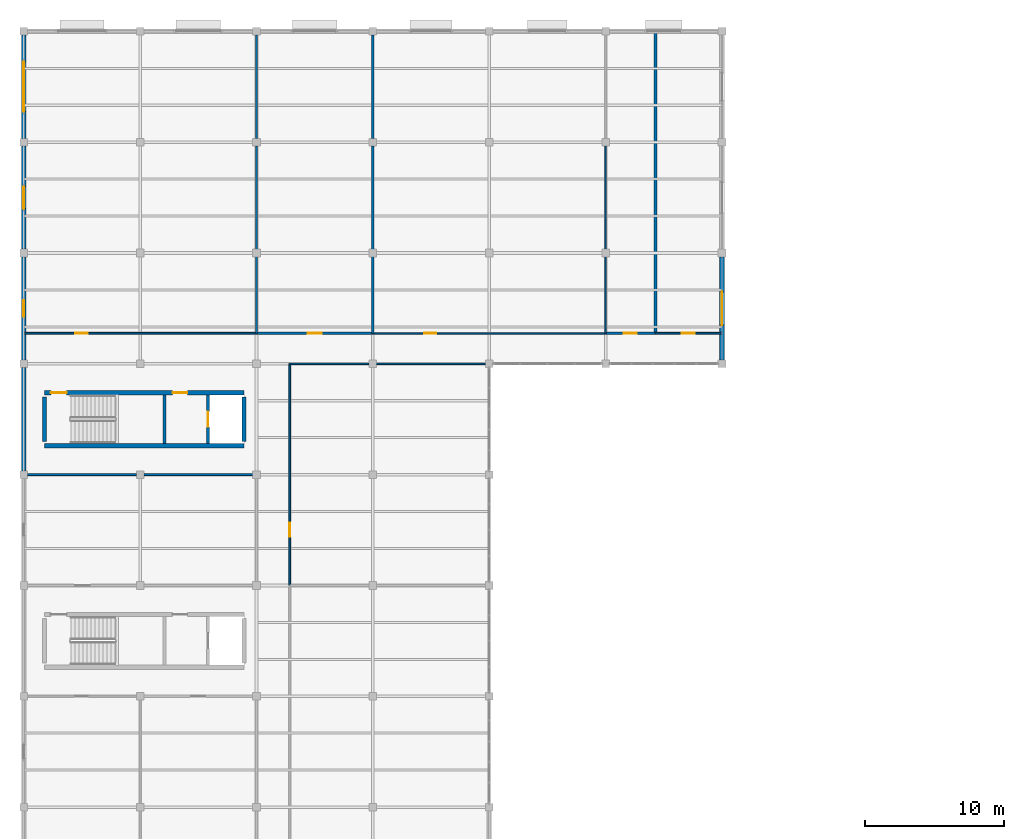
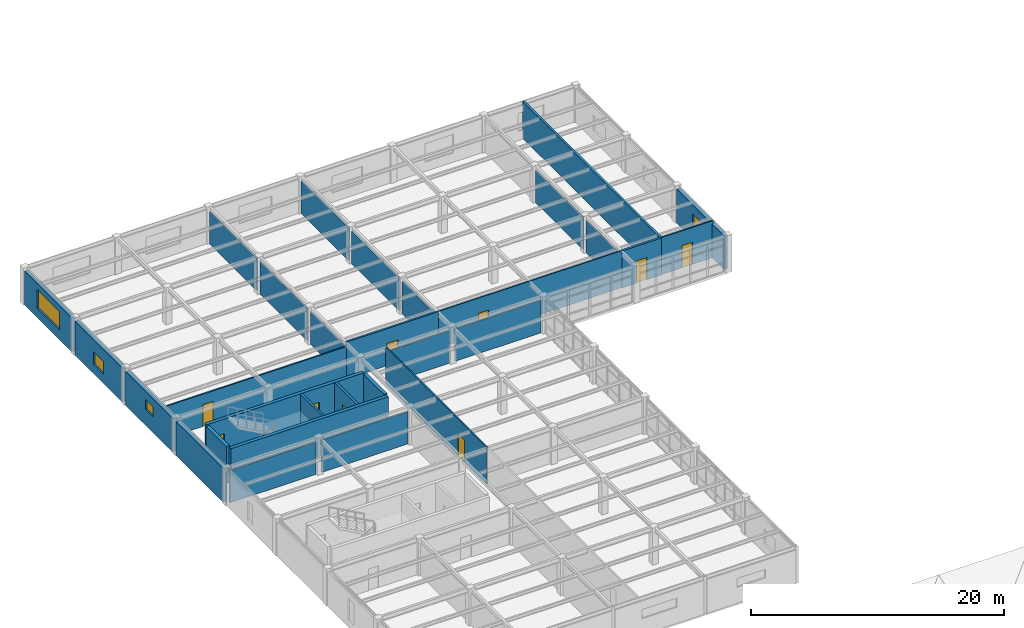
# One storey, part 43 of 53: 30 walls, 9 doors, 4 windows, 13 openings.
"""IFC4 building model written with IfcOpenShell, lengths in metres."""

from ifc_helpers import new_model, si_unit, direction, frame, frame_2d, origin, place, context, subcontext, project, spatial, rectangle, extrude, material, layer, layer_set, type_object, element, fill, save


model = new_model("IFC4")

# Units and contexts
model_context = context("Model", 3, precision=1e-05, world=origin(), true_north=direction((0.0, 1.0)))
body_context = subcontext(model_context, "Body", "Model", "MODEL_VIEW")
ifc_project = project(units=[si_unit("LENGTHUNIT", "METRE"), si_unit("AREAUNIT", "SQUARE_METRE"), si_unit("VOLUMEUNIT", "CUBIC_METRE"), si_unit("PLANEANGLEUNIT", "RADIAN"), si_unit("MASSUNIT", "GRAM", prefix="KILO")], contexts=[model_context])

# Site, building, storey
site_placement = place(None, origin())
site = spatial("IfcSite", under=ifc_project, at=site_placement, CompositionType="ELEMENT")
building_placement = place(site_placement, origin())
building = spatial("IfcBuilding", under=site, at=building_placement, Name="Kranzveld Transit Interchange", CompositionType="ELEMENT")
storey_placement = place(building_placement, frame((0.0, 0.0, 13.360107421875)))
storey = spatial("IfcBuildingStorey", under=building, at=storey_placement, Name="L03", CompositionType="ELEMENT", Elevation=13.360107421875)

# Wall, opening, door
ifc_material_1 = material(Name="Clay masonry unit wall, 20 MPa", Category="masonry")
ifc_layer_1 = layer(ifc_material_1, 0.1650390625)
ifc_layer_set_1 = layer_set([ifc_layer_1], Name="Clay masonry unit wall, 20 MPa")
wall_type_1 = type_object("IfcWallType", Name="Acoustic Double-Stud Partition 165", PredefinedType="PARTITIONING", material=ifc_layer_set_1)
wall_1_placement = place(storey_placement, frame((16.800048828125, 90.199951171875, 0.0), z_axis=(0.0, 0.0, 1.0), x_axis=(1.0, 0.0, 0.0)))
wall_1 = element("IfcWall", 1, at=wall_1_placement, inside=storey, type_object=wall_type_1, Name="L03 Partition IW-L03-L03V5N-FRT-316-0", PredefinedType="PARTITIONING", context=body_context, shape_type="SweptSolid", body=[
    extrude(rectangle(XDim=8.39990234375, YDim=0.1650390625, at=frame_2d((4.199951171875, 0.0))), origin(), (0.0, 0.0, 1.0), 3.579833984375),
])
opening_1_placement = place(wall_1_placement, frame((3.699951171875, 0.0, 0.0), z_axis=(0.0, 0.0, 1.0), x_axis=(1.0, 0.0, 0.0)))
opening_1 = element("IfcOpeningElement", 2, at=opening_1_placement, cuts=wall_1, Name="Opening D-316", PredefinedType="OPENING", context=body_context, shape_type="SweptSolid", body=[
    extrude(rectangle(XDim=1.0, YDim=2.14990234375, at=frame_2d((0.5, 1.074951171875))), frame((0.0, 0.092529296875, 0.0), z_axis=(0.0, -1.0, 0.0), x_axis=(1.0, 0.0, 0.0)), (0.0, 0.0, 1.0), 0.18505859375),
])
ifc_material_2 = material(Name="Bronze-anodised thermally broken aluminium", Category="aluminium")
door_type_1 = type_object("IfcDoorType", Name="Acoustic Timber Door 1000x2150", OperationType="NOTDEFINED", PredefinedType="DOOR", material=ifc_material_2)
door_1_placement = place(opening_1_placement, origin())
door_1 = element("IfcDoor", 3, at=door_1_placement, inside=storey, type_object=door_type_1, Name="L03 Interior Door D-316", OperationType="SINGLE_SWING_RIGHT", OverallHeight=2.14990234375, OverallWidth=1.0, PredefinedType="DOOR", context=body_context, shape_type="SweptSolid", body=[
    extrude(rectangle(XDim=1.0, YDim=2.14990234375, at=frame_2d((0.5, 1.074951171875))), frame((0.0, 0.02490234375, 0.0), z_axis=(0.0, -1.0, 0.0), x_axis=(1.0, 0.0, 0.0)), (0.0, 0.0, 1.0), 0.050048828125),
])
fill(opening_1, door_1)

# Walls
wall_2_placement = place(storey_placement, frame((25.199951171875, 90.199951171875, 0.0), z_axis=(0.0, 0.0, 1.0), x_axis=(0.0, 1.0, 0.0)))
element("IfcWall", 4, at=wall_2_placement, inside=storey, type_object=wall_type_1, Name="L03 Partition IW-L03-L03V5N-E-316-0", PredefinedType="PARTITIONING", context=body_context, shape_type="SweptSolid", body=[
    extrude(rectangle(XDim=5.53515625, YDim=0.1650390625, at=frame_2d((2.767578125, 0.0))), origin(), (0.0, 0.0, 1.0), 3.12646484375),
])
for number, where, z_axis, x_axis, name in (
    (5, (25.199951171875, 96.264892578125, 0.0), (0.0, 0.0, 1.0), (0.0, 1.0, 0.0), "L03 Partition IW-L03-L03V5N-E-316-1"),
    (6, (25.199951171875, 104.264892578125, 0.0), (0.0, 0.0, 1.0), (0.0, 1.0, 0.0), "L03 Partition IW-L03-L03V5N-E-316-2"),
):
    element("IfcWall", number, at=place(storey_placement, frame(where, z_axis=z_axis, x_axis=x_axis)), inside=storey, type_object=wall_type_1, Name=name, PredefinedType="PARTITIONING", context=body_context, shape_type="SweptSolid", body=[
        extrude(rectangle(XDim=7.47021484375, YDim=0.1650390625, at=frame_2d((3.735107421875, 0.0))), origin(), (0.0, 0.0, 1.0), 3.12646484375),
    ])
ifc_material_3 = material(Name="Clay masonry unit wall, 20 MPa", Category="masonry")
ifc_layer_2 = layer(ifc_material_3, 0.139892578125)
ifc_layer_set_2 = layer_set([ifc_layer_2], Name="Clay masonry unit wall, 20 MPa")
wall_type_2 = type_object("IfcWallType", Name="Acoustic Stud Partition 140", PredefinedType="PARTITIONING", material=ifc_layer_set_2)
wall_3_placement = place(storey_placement, frame((0.264892578125, 80.0, 0.0), z_axis=(0.0, 0.0, 1.0), x_axis=(1.0, 0.0, 0.0)))
element("IfcWall", 7, at=wall_3_placement, inside=storey, type_object=wall_type_2, Name="L03 Partition IW-L03-L03V5M-BCK-324-0", PredefinedType="PARTITIONING", context=body_context, shape_type="SweptSolid", body=[
    extrude(rectangle(XDim=7.8701171875, YDim=0.139892578125, at=frame_2d((3.93505859375, 0.0))), origin(), (0.0, 0.0, 1.0), 3.122802734375),
])
wall_4_placement = place(storey_placement, frame((8.6650390625, 80.0, 0.0), z_axis=(0.0, 0.0, 1.0), x_axis=(1.0, 0.0, 0.0)))
element("IfcWall", 8, at=wall_4_placement, inside=storey, type_object=wall_type_2, Name="L03 Partition IW-L03-L03V5M-BCK-324-1", PredefinedType="PARTITIONING", context=body_context, shape_type="SweptSolid", body=[
    extrude(rectangle(XDim=7.869873046875, YDim=0.139892578125, at=frame_2d((3.93505859375, 0.0))), origin(), (0.0, 0.0, 1.0), 3.122802734375),
])
ifc_material_4 = material(Name="Concrete C40/50", Category="concrete")
ifc_layer_3 = layer(ifc_material_4, 0.300048828125)
ifc_layer_set_3 = layer_set([ifc_layer_3], Name="Concrete C40/50")
wall_type_3 = type_object("IfcWallType", Name="Core Shear Wall RC 300 C40/50", PredefinedType="SHEAR", material=ifc_layer_set_3)
wall_5_placement = place(storey_placement, frame((1.5, 82.090087890625, 0.0), z_axis=(0.0, 0.0, 1.0), x_axis=(1.0, 0.0, 0.0)))
element("IfcWall", 9, at=wall_5_placement, inside=storey, type_object=wall_type_3, Name="L03 Operations Core C2 Shear Wall S", PredefinedType="SHEAR", context=body_context, shape_type="SweptSolid", body=[
    extrude(rectangle(XDim=14.39990234375, YDim=0.300048828125, at=frame_2d((7.199951171875, 0.0))), origin(), (0.0, 0.0, 1.0), 3.579833984375),
])

# Wall, openings, doors
wall_6_placement = place(storey_placement, frame((1.5, 85.909912109375, 0.0), z_axis=(0.0, 0.0, 1.0), x_axis=(1.0, 0.0, 0.0)))
wall_6 = element("IfcWall", 10, at=wall_6_placement, inside=storey, type_object=wall_type_3, Name="L03 Operations Core C2 Shear Wall N", PredefinedType="SHEAR", context=body_context, shape_type="SweptSolid", body=[
    extrude(rectangle(XDim=14.39990234375, YDim=0.300048828125, at=frame_2d((7.199951171875, 0.0))), origin(), (0.0, 0.0, 1.0), 3.579833984375),
])
opening_2_placement = place(wall_6_placement, frame((0.449951171875, 0.0, 0.0), z_axis=(0.0, 0.0, 1.0), x_axis=(1.0, 0.0, 0.0)))
opening_2 = element("IfcOpeningElement", 11, at=opening_2_placement, cuts=wall_6, Name="Opening D-ST-C2-L03", PredefinedType="OPENING", context=body_context, shape_type="SweptSolid", body=[
    extrude(rectangle(XDim=1.14990234375, YDim=2.14990234375, at=frame_2d((0.574951171875, 1.074951171875))), frame((0.0, 0.159912109375, 0.0), z_axis=(0.0, -1.0, 0.0), x_axis=(1.0, 0.0, 0.0)), (0.0, 0.0, 1.0), 0.320068359375),
])
opening_3_placement = place(wall_6_placement, frame((9.25, 0.0, 0.0), z_axis=(0.0, 0.0, 1.0), x_axis=(1.0, 0.0, 0.0)))
opening_3 = element("IfcOpeningElement", 12, at=opening_3_placement, cuts=wall_6, Name="Opening D-LB-C2-L03", PredefinedType="OPENING", context=body_context, shape_type="SweptSolid", body=[
    extrude(rectangle(XDim=1.050048828125, YDim=2.14990234375, at=frame_2d((0.52490234375, 1.074951171875))), frame((0.0, 0.159912109375, 0.0), z_axis=(0.0, -1.0, 0.0), x_axis=(1.0, 0.0, 0.0)), (0.0, 0.0, 1.0), 0.320068359375),
])
ifc_material_5 = material(Name="Steel S355JR", Category="steel")
door_type_2 = type_object("IfcDoorType", Name="Lift Lobby Fire Door 1050x2150 FD120S", OperationType="NOTDEFINED", PredefinedType="DOOR", material=ifc_material_5)
door_2_placement = place(opening_3_placement, origin())
door_2 = element("IfcDoor", 13, at=door_2_placement, inside=storey, type_object=door_type_2, Name="L03 Operations Core C2 Lift Protected Lobby Door", OperationType="SINGLE_SWING_RIGHT", OverallHeight=2.14990234375, OverallWidth=1.050048828125, PredefinedType="DOOR", context=body_context, shape_type="SweptSolid", body=[
    extrude(rectangle(XDim=1.050048828125, YDim=2.14990234375, at=frame_2d((0.52490234375, 1.074951171875))), frame((0.0, 0.02490234375, 0.0), z_axis=(0.0, -1.0, 0.0), x_axis=(1.0, 0.0, 0.0)), (0.0, 0.0, 1.0), 0.050048828125),
])
fill(opening_3, door_2)
ifc_material_6 = material(Name="Steel S355JR", Category="steel")
door_type_3 = type_object("IfcDoorType", Name="Stair Core Fire Door 1150x2150 FD120S", OperationType="NOTDEFINED", PredefinedType="DOOR", material=ifc_material_6)
door_3_placement = place(opening_2_placement, origin())
door_3 = element("IfcDoor", 14, at=door_3_placement, inside=storey, type_object=door_type_3, Name="L03 ST-C2 Protected Stair Door", OperationType="SINGLE_SWING_RIGHT", OverallHeight=2.14990234375, OverallWidth=1.14990234375, PredefinedType="DOOR", context=body_context, shape_type="SweptSolid", body=[
    extrude(rectangle(XDim=1.14990234375, YDim=2.14990234375, at=frame_2d((0.574951171875, 1.074951171875))), frame((0.0, 0.02490234375, 0.0), z_axis=(0.0, -1.0, 0.0), x_axis=(1.0, 0.0, 0.0)), (0.0, 0.0, 1.0), 0.050048828125),
])
fill(opening_2, door_3)

# Walls
for number, where, z_axis, x_axis, name in (
    (15, (1.5, 82.389892578125, 0.0), (0.0, 0.0, 1.0), (0.0, 1.0, 0.0), "L03 Operations Core C2 Shear Wall W"),
    (16, (15.89990234375, 82.389892578125, 0.0), (0.0, 0.0, 1.0), (0.0, 1.0, 0.0), "L03 Operations Core C2 Shear Wall E"),
):
    element("IfcWall", number, at=place(storey_placement, frame(where, z_axis=z_axis, x_axis=x_axis)), inside=storey, type_object=wall_type_3, Name=name, PredefinedType="SHEAR", context=body_context, shape_type="SweptSolid", body=[
        extrude(rectangle(XDim=3.22021484375, YDim=0.300048828125, at=frame_2d((1.610107421875, 0.0))), origin(), (0.0, 0.0, 1.0), 3.579833984375),
    ])

# Wall, opening, window
ifc_material_7 = material(Name="Pretoria red-purple clinker clay face brick, 35 MPa", Category="masonry")
ifc_layer_4 = layer(ifc_material_7, 0.340087890625)
ifc_layer_set_4 = layer_set([ifc_layer_4], Name="Pretoria red-purple clinker clay face brick, 35 MPa")
wall_type_4 = type_object("IfcWallType", Name="Exterior Cavity Wall Red Clinker 340", PredefinedType="SOLIDWALL", material=ifc_layer_set_4)
wall_7_placement = place(storey_placement, frame((50.39990234375, 88.27490234375, 0.0), z_axis=(0.0, 0.0, 1.0), x_axis=(0.0, 1.0, 0.0)))
wall_7 = element("IfcWall", 17, at=wall_7_placement, inside=storey, type_object=wall_type_4, Name="L03 Clinker Facade Wall 07/M-07/N", PredefinedType="SOLIDWALL", context=body_context, shape_type="SweptSolid", body=[
    extrude(rectangle(XDim=7.4501953125, YDim=0.340087890625, at=frame_2d((3.72509765625, 0.0))), origin(), (0.0, 0.0, 1.0), 3.27978515625),
])
opening_4_placement = place(wall_7_placement, frame((2.52490234375, 0.0, 0.89990234375), z_axis=(0.0, 0.0, 1.0), x_axis=(1.0, 0.0, 0.0)))
opening_4 = element("IfcOpeningElement", 18, at=opening_4_placement, cuts=wall_7, Name="Opening W-08", PredefinedType="OPENING", context=body_context, shape_type="SweptSolid", body=[
    extrude(rectangle(XDim=2.39990234375, YDim=1.5, at=frame_2d((1.199951171875, 0.75))), frame((0.0, 0.179931640625, 0.0), z_axis=(0.0, -1.0, 0.0), x_axis=(1.0, 0.0, 0.0)), (0.0, 0.0, 1.0), 0.360107421875),
])
ifc_material_8 = material(Name="Solar-control double glazing", Category="glass")
window_type_1 = type_object("IfcWindowType", Name="Window Civic Double 2400x1500", PartitioningType="DOUBLE_PANEL_VERTICAL", PredefinedType="WINDOW", material=ifc_material_8)
window_1_placement = place(opening_4_placement, origin())
window_1 = element("IfcWindow", 19, at=window_1_placement, inside=storey, type_object=window_type_1, Name="L03 Facade Window 07/M", OverallHeight=1.5, OverallWidth=2.39990234375, PartitioningType="DOUBLE_PANEL_VERTICAL", PredefinedType="WINDOW", context=body_context, shape_type="SweptSolid", body=[
    extrude(rectangle(XDim=2.39990234375, YDim=1.5, at=frame_2d((1.199951171875, 0.75))), frame((0.0, 0.030029296875, 0.0), z_axis=(0.0, -1.0, 0.0), x_axis=(1.0, 0.0, 0.0)), (0.0, 0.0, 1.0), 0.06005859375),
])
fill(opening_4, window_1)

# Wall
wall_8_placement = place(storey_placement, frame((0.0, 80.27490234375, 0.0), z_axis=(0.0, 0.0, 1.0), x_axis=(0.0, 1.0, 0.0)))
element("IfcWall", 20, at=wall_8_placement, inside=storey, type_object=wall_type_4, Name="L03 Clinker Facade Wall 01/L-01/M", PredefinedType="SOLIDWALL", context=body_context, shape_type="SweptSolid", body=[
    extrude(rectangle(XDim=7.4501953125, YDim=0.340087890625, at=frame_2d((3.72509765625, 0.0))), origin(), (0.0, 0.0, 1.0), 3.27978515625),
])

# Wall, opening, window
wall_9_placement = place(storey_placement, frame((0.0, 88.27490234375, 0.0), z_axis=(0.0, 0.0, 1.0), x_axis=(0.0, 1.0, 0.0)))
wall_9 = element("IfcWall", 21, at=wall_9_placement, inside=storey, type_object=wall_type_4, Name="L03 Clinker Facade Wall 01/M-01/N", PredefinedType="SOLIDWALL", context=body_context, shape_type="SweptSolid", body=[
    extrude(rectangle(XDim=7.4501953125, YDim=0.340087890625, at=frame_2d((3.72509765625, 0.0))), origin(), (0.0, 0.0, 1.0), 3.27978515625),
])
opening_5_placement = place(wall_9_placement, frame((3.125, 0.0, 1.550048828125), z_axis=(0.0, 0.0, 1.0), x_axis=(1.0, 0.0, 0.0)))
opening_5 = element("IfcOpeningElement", 22, at=opening_5_placement, cuts=wall_9, Name="Opening W-19", PredefinedType="OPENING", context=body_context, shape_type="SweptSolid", body=[
    extrude(rectangle(XDim=1.199951171875, YDim=0.949951171875, at=frame_2d((0.60009765625, 0.47509765625))), frame((0.0, 0.179931640625, 0.0), z_axis=(0.0, -1.0, 0.0), x_axis=(1.0, 0.0, 0.0)), (0.0, 0.0, 1.0), 0.360107421875),
])
ifc_material_9 = material(Name="Solar-control double glazing", Category="glass")
window_type_2 = type_object("IfcWindowType", Name="Window Sanitary Frosted 1200x950", PartitioningType="SINGLE_PANEL", PredefinedType="WINDOW", material=ifc_material_9)
window_2_placement = place(opening_5_placement, origin())
window_2 = element("IfcWindow", 23, at=window_2_placement, inside=storey, type_object=window_type_2, Name="L03 Facade Window 01/M", OverallHeight=0.949951171875, OverallWidth=1.199951171875, PartitioningType="SINGLE_PANEL", PredefinedType="WINDOW", context=body_context, shape_type="SweptSolid", body=[
    extrude(rectangle(XDim=1.199951171875, YDim=0.949951171875, at=frame_2d((0.60009765625, 0.47509765625))), frame((0.0, 0.030029296875, 0.0), z_axis=(0.0, -1.0, 0.0), x_axis=(1.0, 0.0, 0.0)), (0.0, 0.0, 1.0), 0.06005859375),
])
fill(opening_5, window_2)

wall_10_placement = place(storey_placement, frame((0.0, 96.27490234375, 0.0), z_axis=(0.0, 0.0, 1.0), x_axis=(0.0, 1.0, 0.0)))
wall_10 = element("IfcWall", 24, at=wall_10_placement, inside=storey, type_object=wall_type_4, Name="L03 Clinker Facade Wall 01/N-01/P", PredefinedType="SOLIDWALL", context=body_context, shape_type="SweptSolid", body=[
    extrude(rectangle(XDim=7.4501953125, YDim=0.340087890625, at=frame_2d((3.72509765625, 0.0))), origin(), (0.0, 0.0, 1.0), 3.27978515625),
])
opening_6_placement = place(wall_10_placement, frame((2.925048828125, 0.0, 0.89990234375), z_axis=(0.0, 0.0, 1.0), x_axis=(1.0, 0.0, 0.0)))
opening_6 = element("IfcOpeningElement", 25, at=opening_6_placement, cuts=wall_10, Name="Opening W-20", PredefinedType="OPENING", context=body_context, shape_type="SweptSolid", body=[
    extrude(rectangle(XDim=1.60009765625, YDim=1.199951171875, at=frame_2d((0.800048828125, 0.60009765625))), frame((0.0, 0.179931640625, 0.0), z_axis=(0.0, -1.0, 0.0), x_axis=(1.0, 0.0, 0.0)), (0.0, 0.0, 1.0), 0.360107421875),
])
ifc_material_10 = material(Name="Solar-control double glazing", Category="glass")
window_type_3 = type_object("IfcWindowType", Name="Window Technical Glazed 1600x1200", PartitioningType="DOUBLE_PANEL_VERTICAL", PredefinedType="WINDOW", material=ifc_material_10)
window_3_placement = place(opening_6_placement, origin())
window_3 = element("IfcWindow", 26, at=window_3_placement, inside=storey, type_object=window_type_3, Name="L03 Facade Window 01/N", OverallHeight=1.199951171875, OverallWidth=1.60009765625, PartitioningType="DOUBLE_PANEL_VERTICAL", PredefinedType="WINDOW", context=body_context, shape_type="SweptSolid", body=[
    extrude(rectangle(XDim=1.60009765625, YDim=1.199951171875, at=frame_2d((0.800048828125, 0.60009765625))), frame((0.0, 0.030029296875, 0.0), z_axis=(0.0, -1.0, 0.0), x_axis=(1.0, 0.0, 0.0)), (0.0, 0.0, 1.0), 0.06005859375),
])
fill(opening_6, window_3)

wall_11_placement = place(storey_placement, frame((0.0, 104.27490234375, 0.0), z_axis=(0.0, 0.0, 1.0), x_axis=(0.0, 1.0, 0.0)))
wall_11 = element("IfcWall", 27, at=wall_11_placement, inside=storey, type_object=wall_type_4, Name="L03 Clinker Facade Wall 01/P-01/Q", PredefinedType="SOLIDWALL", context=body_context, shape_type="SweptSolid", body=[
    extrude(rectangle(XDim=7.4501953125, YDim=0.340087890625, at=frame_2d((3.72509765625, 0.0))), origin(), (0.0, 0.0, 1.0), 3.27978515625),
])
opening_7_placement = place(wall_11_placement, frame((1.925048828125, 0.0, 0.89990234375), z_axis=(0.0, 0.0, 1.0), x_axis=(1.0, 0.0, 0.0)))
opening_7 = element("IfcOpeningElement", 28, at=opening_7_placement, cuts=wall_11, Name="Opening W-01", PredefinedType="OPENING", context=body_context, shape_type="SweptSolid", body=[
    extrude(rectangle(XDim=3.60009765625, YDim=1.800048828125, at=frame_2d((1.800048828125, 0.89990234375))), frame((0.0, 0.179931640625, 0.0), z_axis=(0.0, -1.0, 0.0), x_axis=(1.0, 0.0, 0.0)), (0.0, 0.0, 1.0), 0.360107421875),
])
ifc_material_11 = material(Name="Solar-control double glazing", Category="glass")
window_type_4 = type_object("IfcWindowType", Name="Window Ribbon Triple 3600x1800", PartitioningType="TRIPLE_PANEL_VERTICAL", PredefinedType="WINDOW", material=ifc_material_11)
window_4_placement = place(opening_7_placement, origin())
window_4 = element("IfcWindow", 29, at=window_4_placement, inside=storey, type_object=window_type_4, Name="L03 Facade Window 01/P", OverallHeight=1.800048828125, OverallWidth=3.60009765625, PartitioningType="TRIPLE_PANEL_VERTICAL", PredefinedType="WINDOW", context=body_context, shape_type="SweptSolid", body=[
    extrude(rectangle(XDim=3.60009765625, YDim=1.800048828125, at=frame_2d((1.800048828125, 0.89990234375))), frame((0.0, 0.030029296875, 0.0), z_axis=(0.0, -1.0, 0.0), x_axis=(1.0, 0.0, 0.0)), (0.0, 0.0, 1.0), 0.06005859375),
])
fill(opening_7, window_4)

# Wall, opening, door
ifc_material_12 = material(Name="Clay masonry unit wall, 20 MPa", Category="masonry")
ifc_layer_5 = layer(ifc_material_12, 0.125)
ifc_layer_set_5 = layer_set([ifc_layer_5], Name="Clay masonry unit wall, 20 MPa")
wall_type_5 = type_object("IfcWallType", Name="Internal Blockwork Partition 125", PredefinedType="PARTITIONING", material=ifc_layer_set_5)
wall_12_placement = place(storey_placement, frame((0.0400390625, 90.199951171875, 0.0), z_axis=(0.0, 0.0, 1.0), x_axis=(1.0, 0.0, 0.0)))
wall_12 = element("IfcWall", 30, at=wall_12_placement, inside=storey, type_object=wall_type_5, Name="L03 Partition IW-L03-L03V5N-FRT-315-0", PredefinedType="PARTITIONING", context=body_context, shape_type="SweptSolid", body=[
    extrude(rectangle(XDim=16.760009765625, YDim=0.125, at=frame_2d((8.3798828125, 0.0))), origin(), (0.0, 0.0, 1.0), 3.12646484375),
])
opening_8_placement = place(wall_12_placement, frame((3.659912109375, 0.0, 0.0), z_axis=(0.0, 0.0, 1.0), x_axis=(1.0, 0.0, 0.0)))
opening_8 = element("IfcOpeningElement", 31, at=opening_8_placement, cuts=wall_12, Name="Opening D-315", PredefinedType="OPENING", context=body_context, shape_type="SweptSolid", body=[
    extrude(rectangle(XDim=0.89990234375, YDim=2.10009765625, at=frame_2d((0.449951171875, 1.050048828125))), frame((0.0, 0.072509765625, 0.0), z_axis=(0.0, -1.0, 0.0), x_axis=(1.0, 0.0, 0.0)), (0.0, 0.0, 1.0), 0.14501953125),
])
ifc_material_13 = material(Name="Bronze-anodised thermally broken aluminium", Category="aluminium")
door_type_4 = type_object("IfcDoorType", Name="Staff Office Door 900x2100", OperationType="NOTDEFINED", PredefinedType="DOOR", material=ifc_material_13)
door_4_placement = place(opening_8_placement, origin())
door_4 = element("IfcDoor", 32, at=door_4_placement, inside=storey, type_object=door_type_4, Name="L03 Interior Door D-315", OperationType="SINGLE_SWING_LEFT", OverallHeight=2.10009765625, OverallWidth=0.89990234375, PredefinedType="DOOR", context=body_context, shape_type="SweptSolid", body=[
    extrude(rectangle(XDim=0.89990234375, YDim=2.10009765625, at=frame_2d((0.449951171875, 1.050048828125))), frame((0.0, 0.02490234375, 0.0), z_axis=(0.0, -1.0, 0.0), x_axis=(1.0, 0.0, 0.0)), (0.0, 0.0, 1.0), 0.050048828125),
])
fill(opening_8, door_4)

wall_13_placement = place(storey_placement, frame((45.60009765625, 90.199951171875, 0.0), z_axis=(0.0, 0.0, 1.0), x_axis=(1.0, 0.0, 0.0)))
wall_13 = element("IfcWall", 33, at=wall_13_placement, inside=storey, type_object=wall_type_5, Name="L03 Partition IW-L03-L03V5NWC-ADJ-322-0", PredefinedType="PARTITIONING", context=body_context, shape_type="SweptSolid", body=[
    extrude(rectangle(XDim=4.760009765625, YDim=0.125, at=frame_2d((2.3798828125, 0.0))), origin(), (0.0, 0.0, 1.0), 3.579833984375),
])
opening_9_placement = place(wall_13_placement, frame((1.8798828125, 0.0, 0.0), z_axis=(0.0, 0.0, 1.0), x_axis=(1.0, 0.0, 0.0)))
opening_9 = element("IfcOpeningElement", 34, at=opening_9_placement, cuts=wall_13, Name="Opening D-322", PredefinedType="OPENING", context=body_context, shape_type="SweptSolid", body=[
    extrude(rectangle(XDim=0.949951171875, YDim=2.14990234375, at=frame_2d((0.47509765625, 1.074951171875))), frame((0.0, 0.072509765625, 0.0), z_axis=(0.0, -1.0, 0.0), x_axis=(1.0, 0.0, 0.0)), (0.0, 0.0, 1.0), 0.14501953125),
])
ifc_material_14 = material(Name="Bronze-anodised thermally broken aluminium", Category="aluminium")
door_type_5 = type_object("IfcDoorType", Name="Internal Office Door 950x2150", OperationType="NOTDEFINED", PredefinedType="DOOR", material=ifc_material_14)
door_5_placement = place(opening_9_placement, origin())
door_5 = element("IfcDoor", 35, at=door_5_placement, inside=storey, type_object=door_type_5, Name="L03 Interior Door D-322", OperationType="SINGLE_SWING_RIGHT", OverallHeight=2.14990234375, OverallWidth=0.949951171875, PredefinedType="DOOR", context=body_context, shape_type="SweptSolid", body=[
    extrude(rectangle(XDim=0.949951171875, YDim=2.14990234375, at=frame_2d((0.47509765625, 1.074951171875))), frame((0.0, 0.02490234375, 0.0), z_axis=(0.0, -1.0, 0.0), x_axis=(1.0, 0.0, 0.0)), (0.0, 0.0, 1.0), 0.050048828125),
])
fill(opening_9, door_5)

# Walls
wall_14_placement = place(storey_placement, frame((16.800048828125, 90.199951171875, 0.0), z_axis=(0.0, 0.0, 1.0), x_axis=(0.0, 1.0, 0.0)))
element("IfcWall", 36, at=wall_14_placement, inside=storey, type_object=wall_type_5, Name="L03 Partition IW-L03-L03V5N-E-315-0", PredefinedType="PARTITIONING", context=body_context, shape_type="SweptSolid", body=[
    extrude(rectangle(XDim=5.53515625, YDim=0.125, at=frame_2d((2.767578125, 0.0))), origin(), (0.0, 0.0, 1.0), 3.12646484375),
])
for number, where, z_axis, x_axis, name in (
    (37, (16.800048828125, 96.264892578125, 0.0), (0.0, 0.0, 1.0), (0.0, 1.0, 0.0), "L03 Partition IW-L03-L03V5N-E-315-1"),
    (38, (16.800048828125, 104.264892578125, 0.0), (0.0, 0.0, 1.0), (0.0, 1.0, 0.0), "L03 Partition IW-L03-L03V5N-E-315-2"),
):
    element("IfcWall", number, at=place(storey_placement, frame(where, z_axis=z_axis, x_axis=x_axis)), inside=storey, type_object=wall_type_5, Name=name, PredefinedType="PARTITIONING", context=body_context, shape_type="SweptSolid", body=[
        extrude(rectangle(XDim=7.47021484375, YDim=0.125, at=frame_2d((3.735107421875, 0.0))), origin(), (0.0, 0.0, 1.0), 3.12646484375),
    ])

# Wall, opening, door
ifc_material_15 = material(Name="Clay masonry unit wall, 20 MPa", Category="masonry")
ifc_layer_6 = layer(ifc_material_15, 0.114990234375)
ifc_layer_set_6 = layer_set([ifc_layer_6], Name="Clay masonry unit wall, 20 MPa")
wall_type_6 = type_object("IfcWallType", Name="Internal Masonry Partition 115", PredefinedType="PARTITIONING", material=ifc_layer_set_6)
wall_15_placement = place(storey_placement, frame((19.199951171875, 72.0, 0.0), z_axis=(0.0, 0.0, 1.0), x_axis=(0.0, 1.0, 0.0)))
wall_15 = element("IfcWall", 39, at=wall_15_placement, inside=storey, type_object=wall_type_6, Name="L03 Partition IW-L03-L03V5E-FRT-320-0", PredefinedType="PARTITIONING", context=body_context, shape_type="SweptSolid", body=[
    extrude(rectangle(XDim=16.0, YDim=0.114990234375, at=frame_2d((8.0, 0.0))), origin(), (0.0, 0.0, 1.0), 3.579833984375),
])
opening_10_placement = place(wall_15_placement, frame((4.52001953125, 0.0, 0.0), z_axis=(0.0, 0.0, 1.0), x_axis=(-1.0, 0.0, 0.0)))
opening_10 = element("IfcOpeningElement", 40, at=opening_10_placement, cuts=wall_15, Name="Opening D-320", PredefinedType="OPENING", context=body_context, shape_type="SweptSolid", body=[
    extrude(rectangle(XDim=1.02001953125, YDim=2.159912109375, at=frame_2d((0.510009765625, 1.080078125))), frame((0.0, 0.0673828125, 0.0), z_axis=(0.0, -1.0, 0.0), x_axis=(1.0, 0.0, 0.0)), (0.0, 0.0, 1.0), 0.135009765625),
])
ifc_material_16 = material(Name="Bronze-anodised thermally broken aluminium", Category="aluminium")
door_type_6 = type_object("IfcDoorType", Name="Studio Wide Door 1020x2160", OperationType="NOTDEFINED", PredefinedType="DOOR", material=ifc_material_16)
door_6_placement = place(opening_10_placement, origin())
door_6 = element("IfcDoor", 41, at=door_6_placement, inside=storey, type_object=door_type_6, Name="L03 Interior Door D-320", OperationType="SINGLE_SWING_RIGHT", OverallHeight=2.159912109375, OverallWidth=1.02001953125, PredefinedType="DOOR", context=body_context, shape_type="SweptSolid", body=[
    extrude(rectangle(XDim=1.02001953125, YDim=2.159912109375, at=frame_2d((0.510009765625, 1.080078125))), frame((0.0, 0.02490234375, 0.0), z_axis=(0.0, -1.0, 0.0), x_axis=(1.0, 0.0, 0.0)), (0.0, 0.0, 1.0), 0.050048828125),
])
fill(opening_10, door_6)

# Walls
wall_16_placement = place(storey_placement, frame((19.199951171875, 88.0, 0.0), z_axis=(0.0, 0.0, 1.0), x_axis=(1.0, 0.0, 0.0)))
element("IfcWall", 42, at=wall_16_placement, inside=storey, type_object=wall_type_6, Name="L03 Partition IW-L03-L03V5E-N-320-0", PredefinedType="PARTITIONING", context=body_context, shape_type="SweptSolid", body=[
    extrude(rectangle(XDim=5.735107421875, YDim=0.114990234375, at=frame_2d((2.86767578125, 0.0))), origin(), (0.0, 0.0, 1.0), 3.122802734375),
])
wall_17_placement = place(storey_placement, frame((25.465087890625, 88.0, 0.0), z_axis=(0.0, 0.0, 1.0), x_axis=(1.0, 0.0, 0.0)))
element("IfcWall", 43, at=wall_17_placement, inside=storey, type_object=wall_type_6, Name="L03 Partition IW-L03-L03V5E-N-320-1", PredefinedType="PARTITIONING", context=body_context, shape_type="SweptSolid", body=[
    extrude(rectangle(XDim=7.869873046875, YDim=0.114990234375, at=frame_2d((3.93505859375, 0.0))), origin(), (0.0, 0.0, 1.0), 3.122802734375),
])
ifc_material_17 = material(Name="Concrete C40/50", Category="concrete")
ifc_layer_7 = layer(ifc_material_17, 0.199951171875)
ifc_layer_set_7 = layer_set([ifc_layer_7], Name="Concrete C40/50")
wall_type_7 = type_object("IfcWallType", Name="Lift Shaft Enclosure Wall RC 200 EI120", PredefinedType="SHEAR", material=ifc_layer_set_7)
wall_18_placement = place(storey_placement, frame((10.14990234375, 82.239990234375, 0.0), z_axis=(0.0, 0.0, 1.0), x_axis=(0.0, 1.0, 0.0)))
element("IfcWall", 44, at=wall_18_placement, inside=storey, type_object=wall_type_7, Name="L03 Operations Core C2 Stair-Lobby Dividing Wall", PredefinedType="SHEAR", context=body_context, shape_type="SweptSolid", body=[
    extrude(rectangle(XDim=3.52001953125, YDim=0.199951171875, at=frame_2d((1.760009765625, 0.0))), origin(), (0.0, 0.0, 1.0), 3.579833984375),
])

# Wall, opening, door
wall_19_placement = place(storey_placement, frame((13.300048828125, 82.239990234375, 0.0), z_axis=(0.0, 0.0, 1.0), x_axis=(0.0, 1.0, 0.0)))
wall_19 = element("IfcWall", 45, at=wall_19_placement, inside=storey, type_object=wall_type_7, Name="L03 LF-C2 Shaft Front Wall", PredefinedType="SHEAR", context=body_context, shape_type="SweptSolid", body=[
    extrude(rectangle(XDim=3.52001953125, YDim=0.199951171875, at=frame_2d((1.760009765625, 0.0))), origin(), (0.0, 0.0, 1.0), 3.579833984375),
])
opening_11_placement = place(wall_19_placement, frame((1.2099609375, 0.0, 0.0), z_axis=(0.0, 0.0, 1.0), x_axis=(1.0, 0.0, 0.0)))
opening_11 = element("IfcOpeningElement", 46, at=opening_11_placement, cuts=wall_19, Name="Opening LD-LF-C2-L03", PredefinedType="OPENING", context=body_context, shape_type="SweptSolid", body=[
    extrude(rectangle(XDim=1.10009765625, YDim=2.14990234375, at=frame_2d((0.550048828125, 1.074951171875))), frame((0.0, 0.10986328125, 0.0), z_axis=(0.0, -1.0, 0.0), x_axis=(1.0, 0.0, 0.0)), (0.0, 0.0, 1.0), 0.219970703125),
])
ifc_material_18 = material(Name="Steel S355JR", Category="steel")
door_type_7 = type_object("IfcDoorType", Name="Lift Landing Sliding Door 1100x2150 FD120S", OperationType="NOTDEFINED", PredefinedType="DOOR", material=ifc_material_18)
door_7_placement = place(opening_11_placement, origin())
door_7 = element("IfcDoor", 47, at=door_7_placement, inside=storey, type_object=door_type_7, Name="L03 LF-C2 Sliding Landing Door", OperationType="DOUBLE_DOOR_SLIDING", OverallHeight=2.14990234375, OverallWidth=1.10009765625, PredefinedType="DOOR", context=body_context, shape_type="SweptSolid", body=[
    extrude(rectangle(XDim=1.10009765625, YDim=2.14990234375, at=frame_2d((0.550048828125, 1.074951171875))), frame((0.0, 0.02490234375, 0.0), z_axis=(0.0, -1.0, 0.0), x_axis=(1.0, 0.0, 0.0)), (0.0, 0.0, 1.0), 0.050048828125),
])
fill(opening_11, door_7)

ifc_material_19 = material(Name="Clay masonry unit wall, 20 MPa", Category="masonry")
ifc_layer_8 = layer(ifc_material_19, 0.10009765625)
ifc_layer_set_8 = layer_set([ifc_layer_8], Name="Clay masonry unit wall, 20 MPa")
wall_type_8 = type_object("IfcWallType", Name="Lightweight Drywall Partition 100", PredefinedType="PARTITIONING", material=ifc_layer_set_8)
wall_20_placement = place(storey_placement, frame((25.199951171875, 90.199951171875, 0.0), z_axis=(0.0, 0.0, 1.0), x_axis=(1.0, 0.0, 0.0)))
wall_20 = element("IfcWall", 48, at=wall_20_placement, inside=storey, type_object=wall_type_8, Name="L03 Partition IW-L03-L03V5N-FRT-313-0", PredefinedType="PARTITIONING", context=body_context, shape_type="SweptSolid", body=[
    extrude(rectangle(XDim=16.800048828125, YDim=0.10009765625, at=frame_2d((8.39990234375, 0.0))), origin(), (0.0, 0.0, 1.0), 3.579833984375),
])
opening_12_placement = place(wall_20_placement, frame((3.699951171875, 0.0, 0.0), z_axis=(0.0, 0.0, 1.0), x_axis=(1.0, 0.0, 0.0)))
opening_12 = element("IfcOpeningElement", 49, at=opening_12_placement, cuts=wall_20, Name="Opening D-313", PredefinedType="OPENING", context=body_context, shape_type="SweptSolid", body=[
    extrude(rectangle(XDim=0.8798828125, YDim=2.10009765625, at=frame_2d((0.43994140625, 1.050048828125))), frame((0.0, 0.06005859375, 0.0), z_axis=(0.0, -1.0, 0.0), x_axis=(1.0, 0.0, 0.0)), (0.0, 0.0, 1.0), 0.1201171875),
])
ifc_material_20 = material(Name="Bronze-anodised thermally broken aluminium", Category="aluminium")
door_type_8 = type_object("IfcDoorType", Name="Store & Utility Door 880x2100", OperationType="NOTDEFINED", PredefinedType="DOOR", material=ifc_material_20)
door_8_placement = place(opening_12_placement, origin())
door_8 = element("IfcDoor", 50, at=door_8_placement, inside=storey, type_object=door_type_8, Name="L03 Interior Door D-313", OperationType="SINGLE_SWING_LEFT", OverallHeight=2.10009765625, OverallWidth=0.8798828125, PredefinedType="DOOR", context=body_context, shape_type="SweptSolid", body=[
    extrude(rectangle(XDim=0.8798828125, YDim=2.10009765625, at=frame_2d((0.43994140625, 1.050048828125))), frame((0.0, 0.02490234375, 0.0), z_axis=(0.0, -1.0, 0.0), x_axis=(1.0, 0.0, 0.0)), (0.0, 0.0, 1.0), 0.050048828125),
])
fill(opening_12, door_8)

# Walls
wall_21_placement = place(storey_placement, frame((42.0, 90.199951171875, 0.0), z_axis=(0.0, 0.0, 1.0), x_axis=(0.0, 1.0, 0.0)))
element("IfcWall", 51, at=wall_21_placement, inside=storey, type_object=wall_type_8, Name="L03 Partition IW-L03-L03V5N-E-313-0", PredefinedType="PARTITIONING", context=body_context, shape_type="SweptSolid", body=[
    extrude(rectangle(XDim=5.53515625, YDim=0.10009765625, at=frame_2d((2.767578125, 0.0))), origin(), (0.0, 0.0, 1.0), 3.12646484375),
])
wall_22_placement = place(storey_placement, frame((42.0, 96.264892578125, 0.0), z_axis=(0.0, 0.0, 1.0), x_axis=(0.0, 1.0, 0.0)))
element("IfcWall", 52, at=wall_22_placement, inside=storey, type_object=wall_type_8, Name="L03 Partition IW-L03-L03V5N-E-313-1", PredefinedType="PARTITIONING", context=body_context, shape_type="SweptSolid", body=[
    extrude(rectangle(XDim=7.47021484375, YDim=0.10009765625, at=frame_2d((3.735107421875, 0.0))), origin(), (0.0, 0.0, 1.0), 3.12646484375),
])

# Wall, opening, door
ifc_material_21 = material(Name="Clay masonry unit wall, 20 MPa", Category="masonry")
ifc_layer_9 = layer(ifc_material_21, 0.18994140625)
ifc_layer_set_9 = layer_set([ifc_layer_9], Name="Clay masonry unit wall, 20 MPa")
wall_type_9 = type_object("IfcWallType", Name="Sanitary Plumbing Wall 190", PredefinedType="PLUMBINGWALL", material=ifc_layer_set_9)
wall_23_placement = place(storey_placement, frame((42.0, 90.199951171875, 0.0), z_axis=(0.0, 0.0, 1.0), x_axis=(1.0, 0.0, 0.0)))
wall_23 = element("IfcWall", 53, at=wall_23_placement, inside=storey, type_object=wall_type_9, Name="L03 Partition IW-L03-L03V5NWC-WC-314-0", PredefinedType="PLUMBINGWALL", context=body_context, shape_type="SweptSolid", body=[
    extrude(rectangle(XDim=3.60009765625, YDim=0.18994140625, at=frame_2d((1.800048828125, 0.0))), origin(), (0.0, 0.0, 1.0), 3.579833984375),
])
opening_13_placement = place(wall_23_placement, frame((1.300048828125, 0.0, 0.0), z_axis=(0.0, 0.0, 1.0), x_axis=(1.0, 0.0, 0.0)))
opening_13 = element("IfcOpeningElement", 54, at=opening_13_placement, cuts=wall_23, Name="Opening D-314", PredefinedType="OPENING", context=body_context, shape_type="SweptSolid", body=[
    extrude(rectangle(XDim=0.949951171875, YDim=2.14990234375, at=frame_2d((0.47509765625, 1.074951171875))), frame((0.0, 0.10498046875, 0.0), z_axis=(0.0, -1.0, 0.0), x_axis=(1.0, 0.0, 0.0)), (0.0, 0.0, 1.0), 0.2099609375),
])
ifc_material_22 = material(Name="Bronze-anodised thermally broken aluminium", Category="aluminium")
door_type_9 = type_object("IfcDoorType", Name="Accessible WC Door 950x2150", OperationType="NOTDEFINED", PredefinedType="DOOR", material=ifc_material_22)
door_9_placement = place(opening_13_placement, origin())
door_9 = element("IfcDoor", 55, at=door_9_placement, inside=storey, type_object=door_type_9, Name="L03 Interior Door D-314", OperationType="SINGLE_SWING_LEFT", OverallHeight=2.14990234375, OverallWidth=0.949951171875, PredefinedType="DOOR", context=body_context, shape_type="SweptSolid", body=[
    extrude(rectangle(XDim=0.949951171875, YDim=2.14990234375, at=frame_2d((0.47509765625, 1.074951171875))), frame((0.0, 0.02490234375, 0.0), z_axis=(0.0, -1.0, 0.0), x_axis=(1.0, 0.0, 0.0)), (0.0, 0.0, 1.0), 0.050048828125),
])
fill(opening_13, door_9)

# Wall
wall_24_placement = place(storey_placement, frame((45.60009765625, 90.199951171875, 0.0), z_axis=(0.0, 0.0, 1.0), x_axis=(0.0, 1.0, 0.0)))
element("IfcWall", 56, at=wall_24_placement, inside=storey, type_object=wall_type_9, Name="L03 Partition IW-L03-L03V5NWC-MID-314-0", PredefinedType="PLUMBINGWALL", context=body_context, shape_type="SweptSolid", body=[
    extrude(rectangle(XDim=21.760009765625, YDim=0.18994140625, at=frame_2d((10.8798828125, 0.0))), origin(), (0.0, 0.0, 1.0), 3.579833984375),
])

save(model, "model.ifc")
